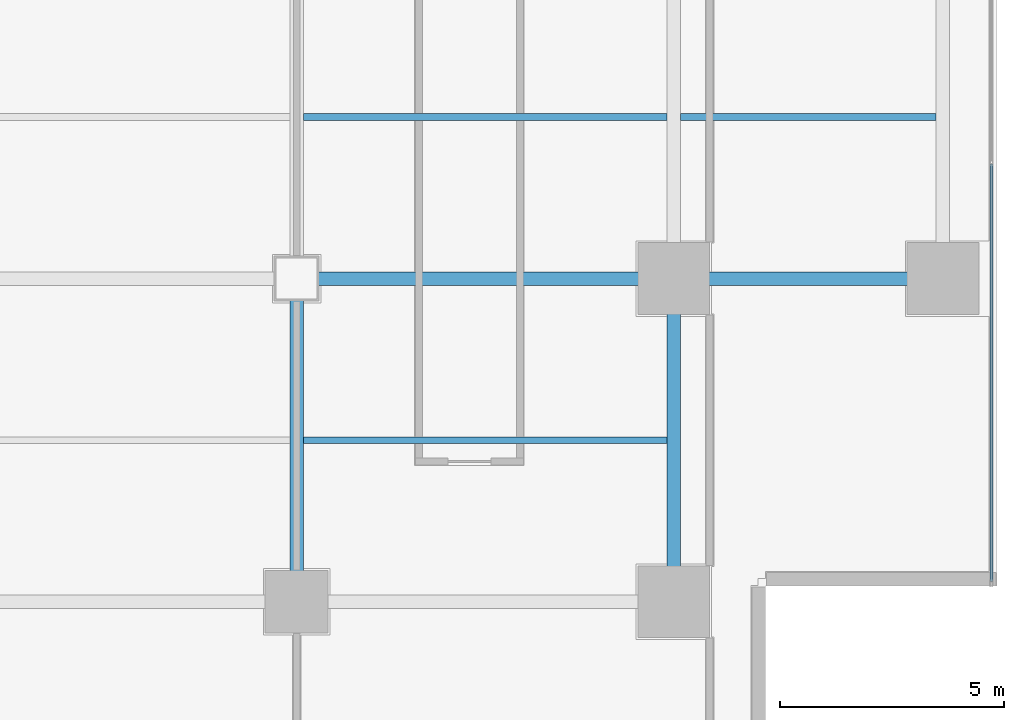
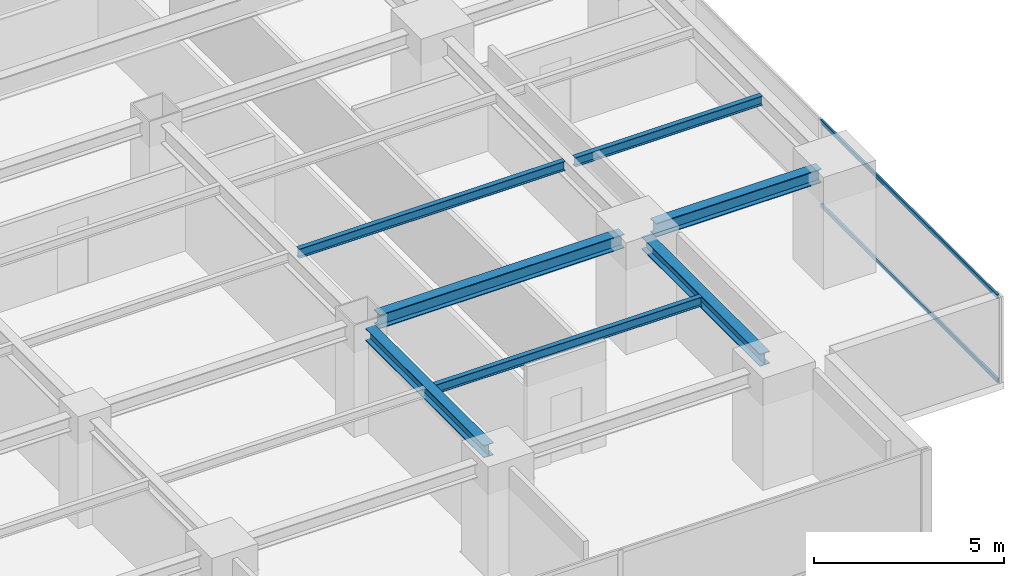
# One storey, part 10 of 28: 7 beams, 2 members, 1 element without a shape of its own.
"""IFC4 building model written with IfcOpenShell, lengths in metres."""

from ifc_helpers import new_model, si_unit, direction, frame, origin, origin_2d, place, context, subcontext, project, spatial, hollow_rectangle, i_section, extrude, source, transform, mapped, material, layer, layer_set, material_profile, profile_set, type_object, element, aggregate, save


model = new_model("IFC4")

# Units and contexts
model_context = context("Model", 3, precision=1e-05, world=origin(), true_north=direction((0.0, 1.0)))
body_context = subcontext(model_context, "Body", "Model", "MODEL_VIEW")
ifc_project = project(units=[si_unit("LENGTHUNIT", "METRE"), si_unit("AREAUNIT", "SQUARE_METRE"), si_unit("VOLUMEUNIT", "CUBIC_METRE"), si_unit("PLANEANGLEUNIT", "RADIAN"), si_unit("MASSUNIT", "GRAM", prefix="KILO")], contexts=[model_context])

# Site, building, storey
site_placement = place(None, origin())
site = spatial("IfcSite", under=ifc_project, at=site_placement, CompositionType="ELEMENT")
building_placement = place(site_placement, origin())
building = spatial("IfcBuilding", under=site, at=building_placement, Name="Sumidabori Civic Tower", CompositionType="ELEMENT")
storey_placement = place(building_placement, frame((0.0, 0.0, 149.60009765625)))
storey = spatial("IfcBuildingStorey", under=building, at=storey_placement, Name="L38", CompositionType="ELEMENT", Elevation=149.60009765625)

# Beams
ifc_material_1 = material(Name="Steel SN490", Category="steel")
ifc_material_profile_1 = material_profile(ifc_material_1, i_section(OverallWidth=0.300048828125, OverallDepth=0.39990234375, WebThickness=0.013427734375, FlangeThickness=0.02392578125, at=origin_2d()), Name="HE 400 B")
ifc_profile_set_1 = profile_set([ifc_material_profile_1], Name="Steel SN490")
beam_type_1 = type_object("IfcBeamType", Name="BM-GIRD-400", PredefinedType="BEAM", material=ifc_profile_set_1)
shared_shape_1 = source(origin(), body_context, "Body", "SweptSolid", [
    extrude(i_section(OverallWidth=0.300048828125, OverallDepth=0.39990234375, WebThickness=0.013427734375, FlangeThickness=0.02392578125, at=origin_2d()), origin(), (0.0, 0.0, 1.0), 6.239990234375),
])
for number, where, z_axis, x_axis, name in (
    (1, (8.39990234375, -17.52001953125, 3.179931640625), (0.0, 1.0, 0.0), (-1.0, 0.0, 0.0), "Primary Girder L38 GY-30"),
    (2, (16.800048828125, -17.52001953125, 3.179931640625), (0.0, 1.0, 0.0), (-1.0, 0.0, 0.0), "Primary Girder L38 GY-32"),
):
    element("IfcBeam", number, at=place(storey_placement, frame(where, z_axis=z_axis, x_axis=x_axis)), inside=storey, type_object=beam_type_1, Name=name, PredefinedType="BEAM", context=body_context, shape_type="MappedRepresentation", body=[
        mapped(shared_shape_1, transform((0.0, 0.0, 0.0), x_axis=(1.0, 0.0, 0.0), y_axis=(0.0, 1.0, 0.0), z_axis=(0.0, 0.0, 1.0), scale=1.0)),
    ])
ifc_material_profile_2 = material_profile(ifc_material_1, i_section(OverallWidth=0.14990234375, OverallDepth=0.300048828125, WebThickness=0.007080078125, FlangeThickness=0.0107421875, at=origin_2d()), Name="IPE 300")
ifc_profile_set_2 = profile_set([ifc_material_profile_2], Name="Steel SN490")
beam_type_2 = type_object("IfcBeamType", Name="BM-JST-300", PredefinedType="JOIST", material=ifc_profile_set_2)
shared_shape_2 = source(origin(), body_context, "Body", "SweptSolid", [
    extrude(i_section(OverallWidth=0.14990234375, OverallDepth=0.300048828125, WebThickness=0.007080078125, FlangeThickness=0.0107421875, at=origin_2d()), origin(), (0.0, 0.0, 1.0), 5.699951171875),
])
beam_1_placement = place(storey_placement, frame((16.949951171875, -7.199951171875, 3.22998046875), z_axis=(1.0, 0.0, 0.0), x_axis=(0.0, 1.0, 0.0)))
element("IfcBeam", 3, at=beam_1_placement, inside=storey, type_object=beam_type_2, Name="Outer Bay Floor Joist L38 JSTO-40", PredefinedType="JOIST", context=body_context, shape_type="MappedRepresentation", body=[
    mapped(shared_shape_2, transform((0.0, 0.0, 0.0), x_axis=(1.0, 0.0, 0.0), y_axis=(0.0, 1.0, 0.0), z_axis=(0.0, 0.0, 1.0), scale=1.0)),
])
shared_shape_3 = source(origin(), body_context, "Body", "SweptSolid", [
    extrude(i_section(OverallWidth=0.14990234375, OverallDepth=0.300048828125, WebThickness=0.007080078125, FlangeThickness=0.0107421875, at=origin_2d()), origin(), (0.0, 0.0, 1.0), 8.099853515625),
])
for number, where, z_axis, x_axis, name in (
    (4, (8.550048828125, -14.39990234375, 3.22998046875), (1.0, 0.0, 0.0), (0.0, 1.0, 0.0), "South Bay Floor Joist L38 JSTS-52"),
    (5, (8.550048828125, -7.199951171875, 3.22998046875), (1.0, 0.0, 0.0), (0.0, 1.0, 0.0), "South Bay Floor Joist L38 JSTS-56"),
):
    element("IfcBeam", number, at=place(storey_placement, frame(where, z_axis=z_axis, x_axis=x_axis)), inside=storey, type_object=beam_type_2, Name=name, PredefinedType="JOIST", context=body_context, shape_type="MappedRepresentation", body=[
        mapped(shared_shape_3, transform((0.0, 0.0, 0.0), x_axis=(1.0, 0.0, 0.0), y_axis=(0.0, 1.0, 0.0), z_axis=(0.0, 0.0, 1.0), scale=1.0)),
    ])
ifc_material_profile_3 = material_profile(ifc_material_1, i_section(OverallWidth=0.300048828125, OverallDepth=0.449951171875, WebThickness=0.013916015625, FlangeThickness=0.02587890625, at=origin_2d()), Name="HE 450 B")
ifc_profile_set_3 = profile_set([ifc_material_profile_3], Name="Steel SN490")
beam_type_3 = type_object("IfcBeamType", Name="BM-GIRD-450", PredefinedType="BEAM", material=ifc_profile_set_3)
shared_shape_4 = source(origin(), body_context, "Body", "SweptSolid", [
    extrude(i_section(OverallWidth=0.300048828125, OverallDepth=0.449951171875, WebThickness=0.013916015625, FlangeThickness=0.02587890625, at=origin_2d()), origin(), (0.0, 0.0, 1.0), 7.440185546875),
])
beam_2_placement = place(storey_placement, frame((8.8798828125, -10.800048828125, 3.15478515625), z_axis=(1.0, 0.0, 0.0), x_axis=(0.0, 1.0, 0.0)))
element("IfcBeam", 6, at=beam_2_placement, inside=storey, type_object=beam_type_3, Name="Primary Girder L38 GX-09", PredefinedType="BEAM", context=body_context, shape_type="MappedRepresentation", body=[
    mapped(shared_shape_4, transform((0.0, 0.0, 0.0), x_axis=(1.0, 0.0, 0.0), y_axis=(0.0, 1.0, 0.0), z_axis=(0.0, 0.0, 1.0), scale=1.0)),
])
shared_shape_5 = source(origin(), body_context, "Body", "SweptSolid", [
    extrude(i_section(OverallWidth=0.300048828125, OverallDepth=0.449951171875, WebThickness=0.013916015625, FlangeThickness=0.02587890625, at=origin_2d()), origin(), (0.0, 0.0, 1.0), 5.0400390625),
])
beam_3_placement = place(storey_placement, frame((17.280029296875, -10.800048828125, 3.15478515625), z_axis=(1.0, 0.0, 0.0), x_axis=(0.0, 1.0, 0.0)))
element("IfcBeam", 7, at=beam_3_placement, inside=storey, type_object=beam_type_3, Name="Primary Girder L38 GX-10", PredefinedType="BEAM", context=body_context, shape_type="MappedRepresentation", body=[
    mapped(shared_shape_5, transform((0.0, 0.0, 0.0), x_axis=(1.0, 0.0, 0.0), y_axis=(0.0, 1.0, 0.0), z_axis=(0.0, 0.0, 1.0), scale=1.0)),
])

# Curtain wall, members
ifc_material_2 = material(Name="Anodised Bronze Aluminium AW-6063-T6", Category="aluminium")
ifc_layer = layer(ifc_material_2, 0.179931640625, Name="Anodised Bronze Aluminium AW-6063-T6")
ifc_layer_set = layer_set([ifc_layer], Name="Anodised Bronze Aluminium AW-6063-T6")
curtain_wall_type = type_object("IfcCurtainWallType", Name="CW-SYS-3", PredefinedType="NOTDEFINED", material=ifc_layer_set)
curtain_wall_placement = place(storey_placement, origin())
curtain_wall = element("IfcCurtainWall", 8, at=curtain_wall_placement, inside=storey, type_object=curtain_wall_type, Name="Curtain Wall CW:L38:R04", PredefinedType="NOTDEFINED")
ifc_material_profile_4 = material_profile(ifc_material_2, hollow_rectangle(XDim=0.06005859375, YDim=0.1298828125, WallThickness=0.0048828125, at=origin_2d()), Name="ALU TRANSOM 130x60")
ifc_profile_set_4 = profile_set([ifc_material_profile_4], Name="Anodised Bronze Aluminium AW-6063-T6")
member_type = type_object("IfcMemberType", Name="CW-TRN-130", PredefinedType="USERDEFINED", material=ifc_profile_set_4)
shared_shape_6 = source(origin(), body_context, "Body", "SweptSolid", [
    extrude(hollow_rectangle(XDim=0.06005859375, YDim=0.1298828125, WallThickness=0.0048828125, at=origin_2d()), origin(), (0.0, 0.0, 1.0), 9.3125),
])
member_1_placement = place(storey_placement, frame((23.8798828125, -17.554931640625, 0.02978515625), z_axis=(0.0, 1.0, 0.0), x_axis=(-1.0, 0.0, 0.0)))
member_1 = element("IfcMember", 9, at=member_1_placement, type_object=member_type, Name="CW-3 transom 1.1", ObjectType="TRANSOM", PredefinedType="USERDEFINED", context=body_context, shape_type="MappedRepresentation", body=[
    mapped(shared_shape_6, transform((0.0, 0.0, 0.0), x_axis=(1.0, 0.0, 0.0), y_axis=(0.0, 1.0, 0.0), z_axis=(0.0, 0.0, 1.0), scale=1.0)),
])
member_2_placement = place(storey_placement, frame((23.8798828125, -17.554931640625, 2.72998046875), z_axis=(0.0, 1.0, 0.0), x_axis=(-1.0, 0.0, 0.0)))
member_2 = element("IfcMember", 10, at=member_2_placement, type_object=member_type, Name="CW-3 transom 1.2", ObjectType="TRANSOM", PredefinedType="USERDEFINED", context=body_context, shape_type="MappedRepresentation", body=[
    mapped(shared_shape_6, transform((0.0, 0.0, 0.0), x_axis=(1.0, 0.0, 0.0), y_axis=(0.0, 1.0, 0.0), z_axis=(0.0, 0.0, 1.0), scale=1.0)),
])
aggregate(curtain_wall, [member_1, member_2])

save(model, "model.ifc")
